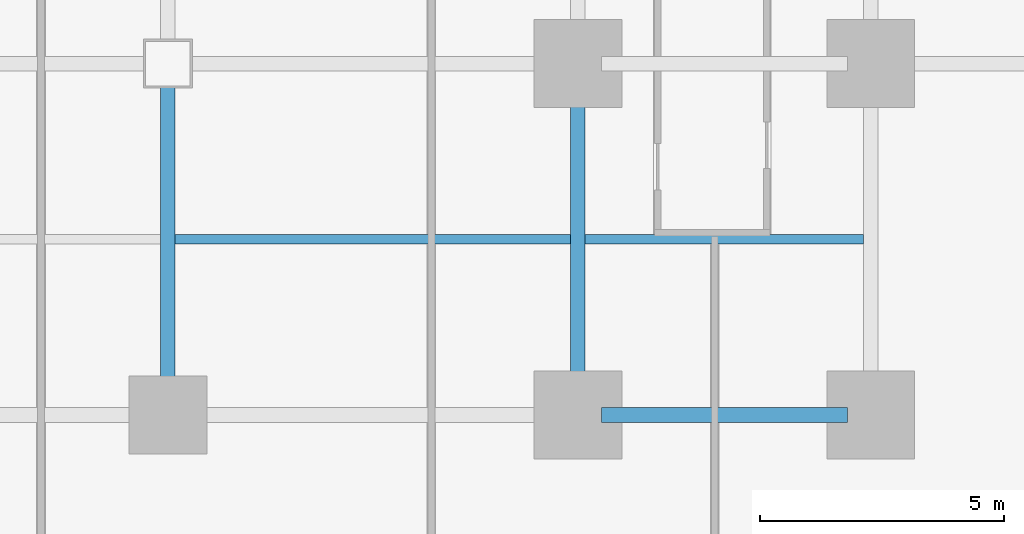
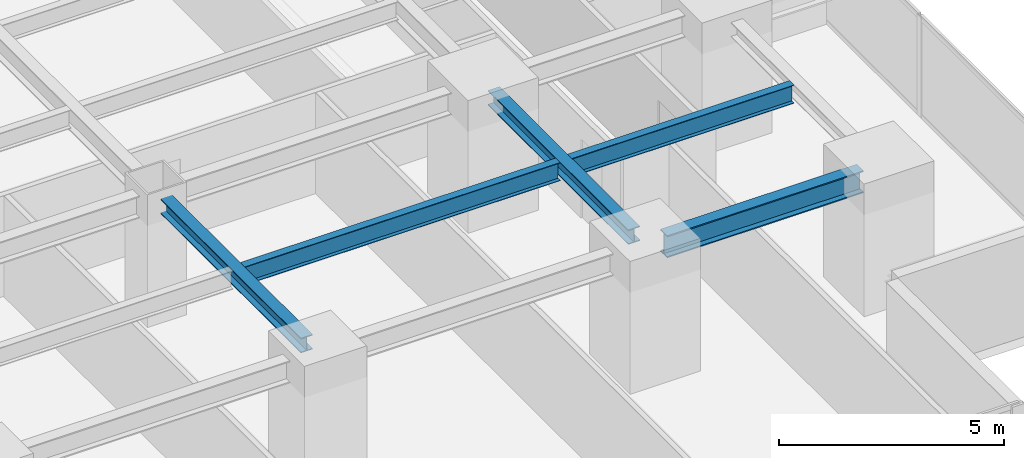
# One storey, part 12 of 34: 5 beams.
"""IFC4 building model written with IfcOpenShell, lengths in metres."""

from ifc_helpers import new_model, si_unit, direction, frame, origin, origin_2d, place, context, subcontext, project, spatial, i_section, extrude, source, transform, mapped, material, material_profile, profile_set, type_object, element, save


model = new_model("IFC4")

# Units and contexts
model_context = context("Model", 3, precision=1e-05, world=origin(), true_north=direction((0.0, 1.0)))
body_context = subcontext(model_context, "Body", "Model", "MODEL_VIEW")
ifc_project = project(units=[si_unit("LENGTHUNIT", "METRE"), si_unit("AREAUNIT", "SQUARE_METRE"), si_unit("VOLUMEUNIT", "CUBIC_METRE"), si_unit("PLANEANGLEUNIT", "RADIAN"), si_unit("MASSUNIT", "GRAM", prefix="KILO")], contexts=[model_context])

# Site, building, storey
site_placement = place(None, origin())
site = spatial("IfcSite", under=ifc_project, at=site_placement, CompositionType="ELEMENT")
building_placement = place(site_placement, origin())
building = spatial("IfcBuilding", under=site, at=building_placement, Name="Sumidabori Civic Tower", CompositionType="ELEMENT")
storey_placement = place(building_placement, frame((0.0, 0.0, 41.60009765625)))
storey = spatial("IfcBuildingStorey", under=building, at=storey_placement, Name="L10", CompositionType="ELEMENT", Elevation=41.60009765625)

# Beams
ifc_material = material(Name="Steel SN490", Category="steel")
ifc_material_profile_1 = material_profile(ifc_material, i_section(OverallWidth=0.300048828125, OverallDepth=0.60009765625, WebThickness=0.015380859375, FlangeThickness=0.030029296875, at=origin_2d()), Name="HE 600 B")
ifc_profile_set_1 = profile_set([ifc_material_profile_1], Name="Steel SN490")
beam_type_1 = type_object("IfcBeamType", Name="BM-GIRD-600", PredefinedType="BEAM", material=ifc_profile_set_1)
shared_shape_1 = source(origin(), body_context, "Body", "SweptSolid", [
    extrude(i_section(OverallWidth=0.300048828125, OverallDepth=0.60009765625, WebThickness=0.015380859375, FlangeThickness=0.030029296875, at=origin_2d()), origin(), (0.0, 0.0, 1.0), 5.0400390625),
])
beam_1_placement = place(storey_placement, frame((17.280029296875, -18.0, 3.059814453125), z_axis=(1.0, 0.0, 0.0), x_axis=(0.0, 1.0, 0.0)))
element("IfcBeam", 1, at=beam_1_placement, inside=storey, type_object=beam_type_1, Name="Primary Girder L10 GX-06", PredefinedType="BEAM", context=body_context, shape_type="MappedRepresentation", body=[
    mapped(shared_shape_1, transform((0.0, 0.0, 0.0), x_axis=(1.0, 0.0, 0.0), y_axis=(0.0, 1.0, 0.0), z_axis=(0.0, 0.0, 1.0), scale=1.0)),
])
ifc_material_profile_2 = material_profile(ifc_material, i_section(OverallWidth=0.300048828125, OverallDepth=0.39990234375, WebThickness=0.013427734375, FlangeThickness=0.02392578125, at=origin_2d()), Name="HE 400 B")
ifc_profile_set_2 = profile_set([ifc_material_profile_2], Name="Steel SN490")
beam_type_2 = type_object("IfcBeamType", Name="BM-GIRD-400", PredefinedType="BEAM", material=ifc_profile_set_2)
shared_shape_2 = source(origin(), body_context, "Body", "SweptSolid", [
    extrude(i_section(OverallWidth=0.300048828125, OverallDepth=0.39990234375, WebThickness=0.013427734375, FlangeThickness=0.02392578125, at=origin_2d()), origin(), (0.0, 0.0, 1.0), 6.239990234375),
])
for number, where, z_axis, x_axis, name in (
    (2, (8.39990234375, -17.52001953125, 3.159912109375), (0.0, 1.0, 0.0), (-1.0, 0.0, 0.0), "Primary Girder L10 GY-33"),
    (3, (16.800048828125, -17.52001953125, 3.159912109375), (0.0, 1.0, 0.0), (-1.0, 0.0, 0.0), "Primary Girder L10 GY-35"),
):
    element("IfcBeam", number, at=place(storey_placement, frame(where, z_axis=z_axis, x_axis=x_axis)), inside=storey, type_object=beam_type_2, Name=name, PredefinedType="BEAM", context=body_context, shape_type="MappedRepresentation", body=[
        mapped(shared_shape_2, transform((0.0, 0.0, 0.0), x_axis=(1.0, 0.0, 0.0), y_axis=(0.0, 1.0, 0.0), z_axis=(0.0, 0.0, 1.0), scale=1.0)),
    ])
ifc_material_profile_3 = material_profile(ifc_material, i_section(OverallWidth=0.199951171875, OverallDepth=0.5, WebThickness=0.01025390625, FlangeThickness=0.01611328125, at=origin_2d()), Name="IPE 500")
ifc_profile_set_3 = profile_set([ifc_material_profile_3], Name="Steel SN490")
beam_type_3 = type_object("IfcBeamType", Name="BM-JST-500", PredefinedType="JOIST", material=ifc_profile_set_3)
shared_shape_3 = source(origin(), body_context, "Body", "SweptSolid", [
    extrude(i_section(OverallWidth=0.199951171875, OverallDepth=0.5, WebThickness=0.01025390625, FlangeThickness=0.01611328125, at=origin_2d()), origin(), (0.0, 0.0, 1.0), 5.699951171875),
])
beam_2_placement = place(storey_placement, frame((16.949951171875, -14.39990234375, 3.10986328125), z_axis=(1.0, 0.0, 0.0), x_axis=(0.0, 1.0, 0.0)))
element("IfcBeam", 4, at=beam_2_placement, inside=storey, type_object=beam_type_3, Name="Outer Bay Floor Joist L10 JSTO-58", PredefinedType="JOIST", context=body_context, shape_type="MappedRepresentation", body=[
    mapped(shared_shape_3, transform((0.0, 0.0, 0.0), x_axis=(1.0, 0.0, 0.0), y_axis=(0.0, 1.0, 0.0), z_axis=(0.0, 0.0, 1.0), scale=1.0)),
])
shared_shape_4 = source(origin(), body_context, "Body", "SweptSolid", [
    extrude(i_section(OverallWidth=0.199951171875, OverallDepth=0.5, WebThickness=0.01025390625, FlangeThickness=0.01611328125, at=origin_2d()), origin(), (0.0, 0.0, 1.0), 8.099853515625),
])
beam_3_placement = place(storey_placement, frame((8.550048828125, -14.39990234375, 3.10986328125), z_axis=(1.0, 0.0, 0.0), x_axis=(0.0, 1.0, 0.0)))
element("IfcBeam", 5, at=beam_3_placement, inside=storey, type_object=beam_type_3, Name="South Bay Floor Joist L10 JSTS-64", PredefinedType="JOIST", context=body_context, shape_type="MappedRepresentation", body=[
    mapped(shared_shape_4, transform((0.0, 0.0, 0.0), x_axis=(1.0, 0.0, 0.0), y_axis=(0.0, 1.0, 0.0), z_axis=(0.0, 0.0, 1.0), scale=1.0)),
])

save(model, "model.ifc")
